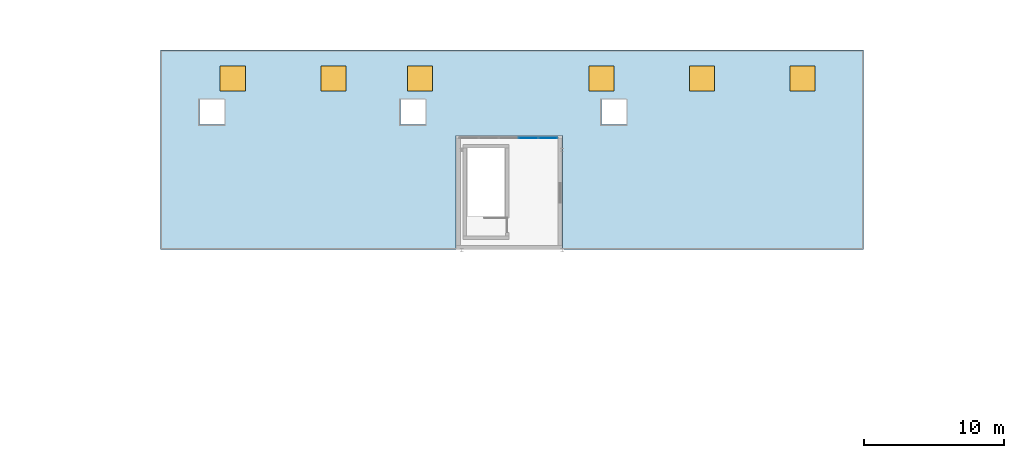
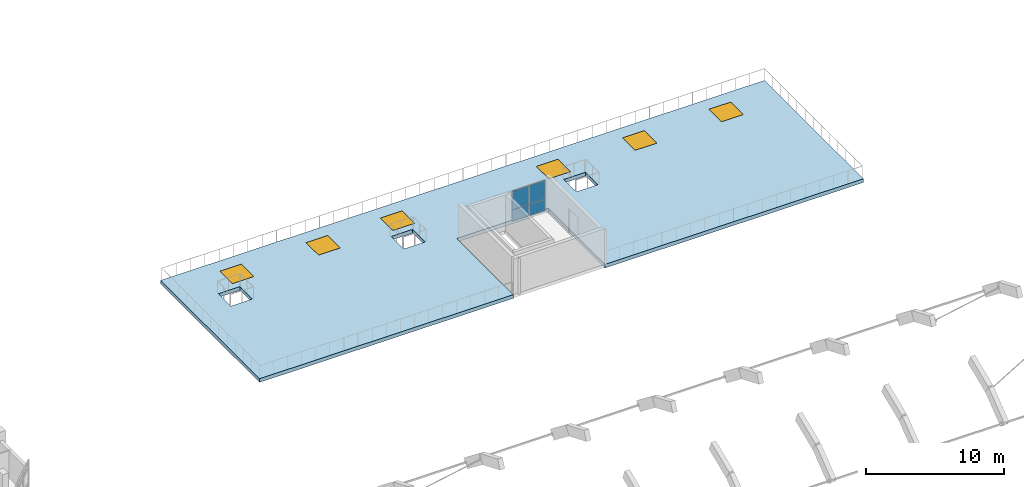
# One storey, part 22 of 64: 6 windows, 4 plates, 1 slab, 6 openings, 1 element without a shape of its own.
"""IFC4 building model written with IfcOpenShell, lengths in metres."""

from ifc_helpers import new_model, si_unit, direction, frame, origin, origin_2d, place, context, subcontext, project, spatial, polyline, rectangle, outline, extrude, material, layer, layer_set, type_object, element, fill, aggregate, save


model = new_model("IFC4")

# Units and contexts
model_context = context("Model", 3, precision=1e-05, world=origin(), true_north=direction((0.0, 1.0)))
body_context = subcontext(model_context, "Body", "Model", "MODEL_VIEW")
ifc_project = project(units=[si_unit("LENGTHUNIT", "METRE"), si_unit("AREAUNIT", "SQUARE_METRE"), si_unit("VOLUMEUNIT", "CUBIC_METRE"), si_unit("PLANEANGLEUNIT", "RADIAN"), si_unit("MASSUNIT", "GRAM", prefix="KILO")], contexts=[model_context])

# Site, building, storey
site_placement = place(None, origin())
site = spatial("IfcSite", under=ifc_project, at=site_placement, CompositionType="ELEMENT")
building_placement = place(site_placement, origin())
building = spatial("IfcBuilding", under=site, at=building_placement, Name="Ochrevale Crest", CompositionType="ELEMENT")
storey_placement = place(building_placement, frame((0.0, 0.0, 8.699951171875)))
storey = spatial("IfcBuildingStorey", under=building, at=storey_placement, Name="L02", CompositionType="ELEMENT", Elevation=8.699951171875)

# Curtain wall, plates
ifc_material_1 = material(Name="Anodised aluminium 6063-T5", Category="aluminium")
ifc_layer_1 = layer(ifc_material_1, 0.14990234375)
ifc_layer_set_1 = layer_set([ifc_layer_1], Name="Anodised aluminium 6063-T5")
curtain_wall_type = type_object("IfcCurtainWallType", Name="CW-RG-300x275", PredefinedType="NOTDEFINED", material=ifc_layer_set_1)
curtain_wall_placement = place(storey_placement, origin())
curtain_wall = element("IfcCurtainWall", 1, at=curtain_wall_placement, inside=storey, type_object=curtain_wall_type, Name="North roof-garden conservatory north curtain wall", PredefinedType="NOTDEFINED")
ifc_material_2 = material(Name="Double-glazed low-E insulated glass unit", Category="glass")
ifc_layer_2 = layer(ifc_material_2, 0.028076171875)
ifc_layer_set_2 = layer_set([ifc_layer_2], Name="Double-glazed low-E insulated glass unit")
plate_type = type_object("IfcPlateType", Name="CW-PNL-IGU28", PredefinedType="CURTAIN_PANEL", material=ifc_layer_set_2)
plate_1_placement = place(storey_placement, frame((83.969970703125, 87.25, 0.05517578125), z_axis=(0.0, 0.0, 1.0), x_axis=(1.0, 0.0, 0.0)))
plate_1 = element("IfcPlate", 2, at=plate_1_placement, type_object=plate_type, Name="CW14 panel 4.1", PredefinedType="CURTAIN_PANEL", context=body_context, shape_type="SweptSolid", body=[
    extrude(rectangle(XDim=1.35498046875, YDim=0.028076171875, at=origin_2d()), origin(), (0.0, 0.0, 1.0), 0.967529296875),
])
plate_2_placement = place(storey_placement, frame((83.969970703125, 87.25, 1.07763671875), z_axis=(0.0, 0.0, 1.0), x_axis=(1.0, 0.0, 0.0)))
plate_2 = element("IfcPlate", 3, at=plate_2_placement, type_object=plate_type, Name="CW14 panel 4.2", PredefinedType="CURTAIN_PANEL", context=body_context, shape_type="SweptSolid", body=[
    extrude(rectangle(XDim=1.35498046875, YDim=0.028076171875, at=origin_2d()), origin(), (0.0, 0.0, 1.0), 1.617431640625),
])
plate_3_placement = place(storey_placement, frame((85.373779296875, 87.25, 0.05517578125), z_axis=(0.0, 0.0, 1.0), x_axis=(1.0, 0.0, 0.0)))
plate_3 = element("IfcPlate", 4, at=plate_3_placement, type_object=plate_type, Name="CW14 panel 5.1", PredefinedType="CURTAIN_PANEL", context=body_context, shape_type="SweptSolid", body=[
    extrude(rectangle(XDim=1.322509765625, YDim=0.028076171875, at=origin_2d()), origin(), (0.0, 0.0, 1.0), 0.967529296875),
])
plate_4_placement = place(storey_placement, frame((85.373779296875, 87.25, 1.07763671875), z_axis=(0.0, 0.0, 1.0), x_axis=(1.0, 0.0, 0.0)))
plate_4 = element("IfcPlate", 5, at=plate_4_placement, type_object=plate_type, Name="CW14 panel 5.2", PredefinedType="CURTAIN_PANEL", context=body_context, shape_type="SweptSolid", body=[
    extrude(rectangle(XDim=1.322509765625, YDim=0.028076171875, at=origin_2d()), origin(), (0.0, 0.0, 1.0), 1.617431640625),
])
aggregate(curtain_wall, [plate_1, plate_2, plate_3, plate_4])

# Slab, openings, windows
ifc_material_3 = material(Name="Concrete C40/50", Category="concrete")
ifc_layer_3 = layer(ifc_material_3, 0.324951171875)
ifc_layer_set_3 = layer_set([ifc_layer_3], Name="Concrete C40/50")
slab_type = type_object("IfcSlabType", Name="SLB-RG-310", PredefinedType="FLOOR", material=ifc_layer_set_3)
slab_placement = place(storey_placement, frame((0.0, 0.0, -0.324951171875)))
slab = element("IfcSlab", 6, at=slab_placement, inside=storey, type_object=slab_type, Name="Planted resident roof garden slab over Nursery Pavilion", PredefinedType="FLOOR", context=body_context, shape_type="SweptSolid", body=[
    extrude(outline(polyline([(57.625, 79.25), (78.780029296875, 79.25), (78.780029296875, 87.419921875), (86.419921875, 87.419921875), (86.419921875, 79.25), (107.97509765625, 79.25), (107.97509765625, 93.550048828125), (57.625, 93.550048828125), (57.625, 79.25)]), holes=[polyline([(60.39990234375, 88.199951171875), (62.199951171875, 88.199951171875), (62.199951171875, 90.0), (60.39990234375, 90.0), (60.39990234375, 88.199951171875)]), polyline([(74.800048828125, 88.199951171875), (76.60009765625, 88.199951171875), (76.60009765625, 90.0), (74.800048828125, 90.0), (74.800048828125, 88.199951171875)]), polyline([(89.199951171875, 88.199951171875), (91.0, 88.199951171875), (91.0, 90.0), (89.199951171875, 90.0), (89.199951171875, 88.199951171875)])]), origin(), (0.0, 0.0, 1.0), 0.324951171875),
])
opening_1_placement = place(slab_placement, frame((62.800048828125, 91.5, -0.010009765625)))
opening_1 = element("IfcOpeningElement", 7, at=opening_1_placement, cuts=slab, Name="Opening SKY1", PredefinedType="OPENING", context=body_context, shape_type="SweptSolid", body=[
    extrude(rectangle(XDim=1.800048828125, YDim=1.800048828125, at=origin_2d()), origin(), (0.0, 0.0, 1.0), 0.344970703125),
])
opening_2_placement = place(slab_placement, frame((70.0, 91.5, -0.010009765625)))
opening_2 = element("IfcOpeningElement", 8, at=opening_2_placement, cuts=slab, Name="Opening SKY1", PredefinedType="OPENING", context=body_context, shape_type="SweptSolid", body=[
    extrude(rectangle(XDim=1.800048828125, YDim=1.800048828125, at=origin_2d()), origin(), (0.0, 0.0, 1.0), 0.344970703125),
])
opening_3_placement = place(slab_placement, frame((76.199951171875, 91.5, -0.010009765625)))
opening_3 = element("IfcOpeningElement", 9, at=opening_3_placement, cuts=slab, Name="Opening SKY1", PredefinedType="OPENING", context=body_context, shape_type="SweptSolid", body=[
    extrude(rectangle(XDim=1.800048828125, YDim=1.800048828125, at=origin_2d()), origin(), (0.0, 0.0, 1.0), 0.344970703125),
])
opening_4_placement = place(slab_placement, frame((89.199951171875, 91.5, -0.010009765625)))
opening_4 = element("IfcOpeningElement", 10, at=opening_4_placement, cuts=slab, Name="Opening SKY1", PredefinedType="OPENING", context=body_context, shape_type="SweptSolid", body=[
    extrude(rectangle(XDim=1.800048828125, YDim=1.800048828125, at=origin_2d()), origin(), (0.0, 0.0, 1.0), 0.344970703125),
])
opening_5_placement = place(slab_placement, frame((96.39990234375, 91.5, -0.010009765625)))
opening_5 = element("IfcOpeningElement", 11, at=opening_5_placement, cuts=slab, Name="Opening SKY1", PredefinedType="OPENING", context=body_context, shape_type="SweptSolid", body=[
    extrude(rectangle(XDim=1.800048828125, YDim=1.800048828125, at=origin_2d()), origin(), (0.0, 0.0, 1.0), 0.344970703125),
])
opening_6_placement = place(slab_placement, frame((103.60009765625, 91.5, -0.010009765625)))
opening_6 = element("IfcOpeningElement", 12, at=opening_6_placement, cuts=slab, Name="Opening SKY1", PredefinedType="OPENING", context=body_context, shape_type="SweptSolid", body=[
    extrude(rectangle(XDim=1.800048828125, YDim=1.800048828125, at=origin_2d()), origin(), (0.0, 0.0, 1.0), 0.344970703125),
])
ifc_material_4 = material(Name="Anodised aluminium 6063-T5 and low-E double glazing", Category="aluminium")
window_type = type_object("IfcWindowType", Name="WIN-SKY1", PartitioningType="SINGLE_PANEL", PredefinedType="SKYLIGHT", material=ifc_material_4)
window_1_placement = place(slab_placement, frame((62.800048828125, 91.5, 0.27490234375)))
window_1 = element("IfcWindow", 13, at=window_1_placement, inside=storey, type_object=window_type, Name="Nursery playroom roof skylight 1", OverallHeight=1.800048828125, OverallWidth=1.800048828125, PartitioningType="SINGLE_PANEL", PredefinedType="SKYLIGHT", context=body_context, shape_type="SweptSolid", body=[
    extrude(rectangle(XDim=1.800048828125, YDim=1.800048828125, at=origin_2d()), origin(), (0.0, 0.0, 1.0), 0.050048828125),
])
fill(opening_1, window_1)
window_2_placement = place(slab_placement, frame((70.0, 91.5, 0.27490234375)))
window_2 = element("IfcWindow", 14, at=window_2_placement, inside=storey, type_object=window_type, Name="Nursery playroom roof skylight 2", OverallHeight=1.800048828125, OverallWidth=1.800048828125, PartitioningType="SINGLE_PANEL", PredefinedType="SKYLIGHT", context=body_context, shape_type="SweptSolid", body=[
    extrude(rectangle(XDim=1.800048828125, YDim=1.800048828125, at=origin_2d()), origin(), (0.0, 0.0, 1.0), 0.050048828125),
])
fill(opening_2, window_2)
window_3_placement = place(slab_placement, frame((76.199951171875, 91.5, 0.27490234375)))
window_3 = element("IfcWindow", 15, at=window_3_placement, inside=storey, type_object=window_type, Name="Nursery playroom roof skylight 3", OverallHeight=1.800048828125, OverallWidth=1.800048828125, PartitioningType="SINGLE_PANEL", PredefinedType="SKYLIGHT", context=body_context, shape_type="SweptSolid", body=[
    extrude(rectangle(XDim=1.800048828125, YDim=1.800048828125, at=origin_2d()), origin(), (0.0, 0.0, 1.0), 0.050048828125),
])
fill(opening_3, window_3)
window_4_placement = place(slab_placement, frame((89.199951171875, 91.5, 0.27490234375)))
window_4 = element("IfcWindow", 16, at=window_4_placement, inside=storey, type_object=window_type, Name="Nursery playroom roof skylight 4", OverallHeight=1.800048828125, OverallWidth=1.800048828125, PartitioningType="SINGLE_PANEL", PredefinedType="SKYLIGHT", context=body_context, shape_type="SweptSolid", body=[
    extrude(rectangle(XDim=1.800048828125, YDim=1.800048828125, at=origin_2d()), origin(), (0.0, 0.0, 1.0), 0.050048828125),
])
fill(opening_4, window_4)
window_5_placement = place(slab_placement, frame((96.39990234375, 91.5, 0.27490234375)))
window_5 = element("IfcWindow", 17, at=window_5_placement, inside=storey, type_object=window_type, Name="Nursery playroom roof skylight 5", OverallHeight=1.800048828125, OverallWidth=1.800048828125, PartitioningType="SINGLE_PANEL", PredefinedType="SKYLIGHT", context=body_context, shape_type="SweptSolid", body=[
    extrude(rectangle(XDim=1.800048828125, YDim=1.800048828125, at=origin_2d()), origin(), (0.0, 0.0, 1.0), 0.050048828125),
])
fill(opening_5, window_5)
window_6_placement = place(slab_placement, frame((103.60009765625, 91.5, 0.27490234375)))
window_6 = element("IfcWindow", 18, at=window_6_placement, inside=storey, type_object=window_type, Name="Nursery playroom roof skylight 6", OverallHeight=1.800048828125, OverallWidth=1.800048828125, PartitioningType="SINGLE_PANEL", PredefinedType="SKYLIGHT", context=body_context, shape_type="SweptSolid", body=[
    extrude(rectangle(XDim=1.800048828125, YDim=1.800048828125, at=origin_2d()), origin(), (0.0, 0.0, 1.0), 0.050048828125),
])
fill(opening_6, window_6)

save(model, "model.ifc")
